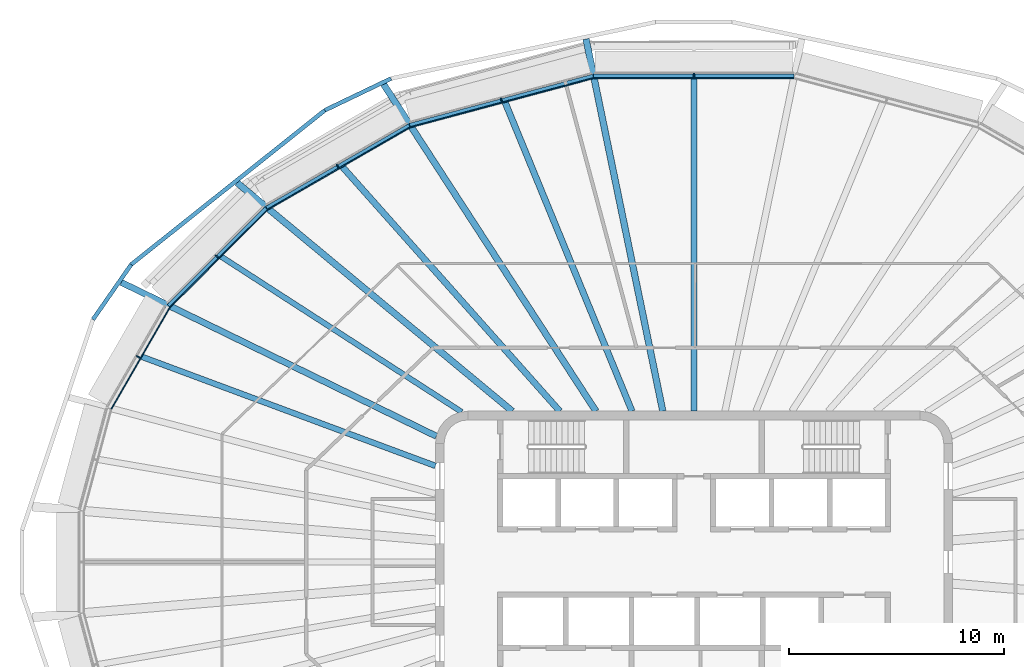
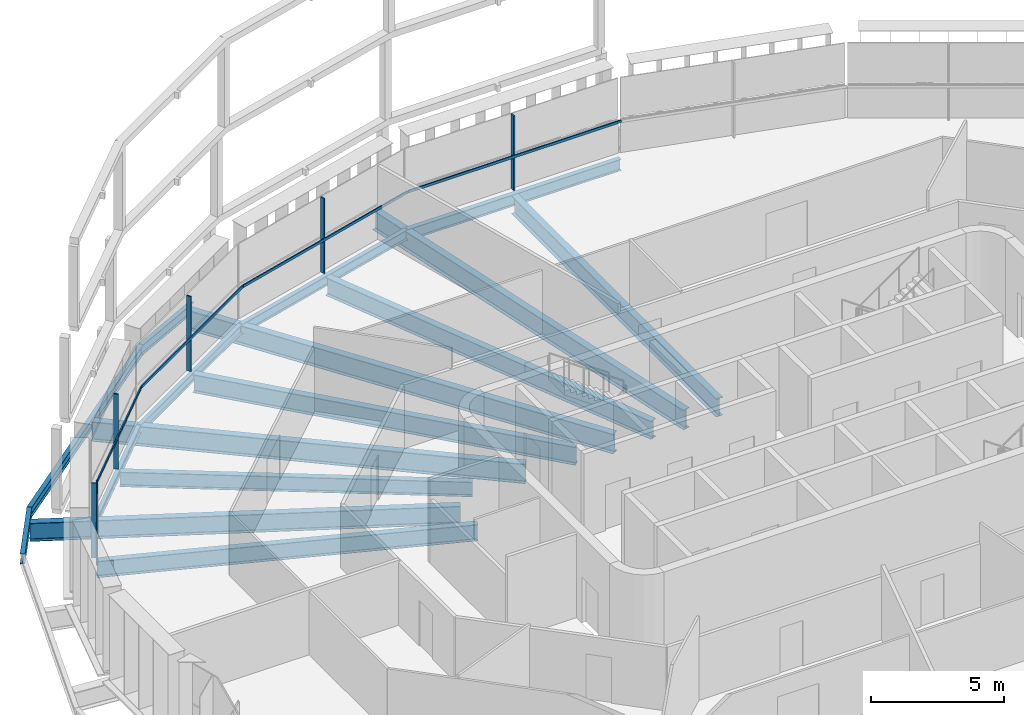
# One storey, part 5 of 19: 16 beams, 10 members, 5 elements without a shape of their own.
"""IFC4 building model written with IfcOpenShell, lengths in metres."""

from ifc_helpers import new_model, si_unit, direction, frame, origin, origin_2d, place, context, subcontext, project, spatial, rectangle, i_section, extrude, material, layer, layer_set, material_profile, profile_set, type_object, element, aggregate, save


model = new_model("IFC4")

# Units and contexts
model_context = context("Model", 3, precision=1e-05, world=origin(), true_north=direction((0.0, 1.0)))
body_context = subcontext(model_context, "Body", "Model", "MODEL_VIEW")
ifc_project = project(units=[si_unit("LENGTHUNIT", "METRE"), si_unit("AREAUNIT", "SQUARE_METRE"), si_unit("VOLUMEUNIT", "CUBIC_METRE"), si_unit("PLANEANGLEUNIT", "RADIAN"), si_unit("MASSUNIT", "GRAM", prefix="KILO")], contexts=[model_context])

# Site, building, storey
site_placement = place(None, origin())
site = spatial("IfcSite", under=ifc_project, at=site_placement, CompositionType="ELEMENT")
building_placement = place(site_placement, origin())
building = spatial("IfcBuilding", under=site, at=building_placement, Name="Sahrelin Media Tower", CompositionType="ELEMENT")
storey_placement = place(building_placement, frame((0.0, 0.0, 287.0)))
storey = spatial("IfcBuildingStorey", under=building, at=storey_placement, Name="L63", CompositionType="ELEMENT", Elevation=287.0)

# Beams
ifc_material_1 = material(Name="Steel S355", Category="steel")
ifc_material_profile_1 = material_profile(ifc_material_1, i_section(OverallWidth=0.17138671875, OverallDepth=0.35498046875, WebThickness=0.00732421875, FlangeThickness=0.011474609375, FilletRadius=0.01025390625, at=origin_2d()), Name="UB 356x171x51")
ifc_profile_set_1 = profile_set([ifc_material_profile_1], Name="Steel S355")
beam_type_1 = type_object("IfcBeamType", Name="Edge beam EB3", PredefinedType="BEAM", material=ifc_profile_set_1)
beam_1_placement = place(storey_placement, frame((-24.388916015625, 11.8916015625, -0.327392578125), z_axis=(0.707106781187, 0.707106781187, 0.0), x_axis=(-0.707106781187, 0.707106781187, 0.0)))
element("IfcBeam", 1, at=beam_1_placement, inside=storey, type_object=beam_type_1, Name="Edge beam L63-13", PredefinedType="BEAM", context=body_context, shape_type="SweptSolid", body=[
    extrude(i_section(OverallWidth=0.17138671875, OverallDepth=0.35498046875, WebThickness=0.00732421875, FlangeThickness=0.011474609375, FilletRadius=0.01025390625, at=origin_2d()), origin(), (0.0, 0.0, 1.0), 6.4072265625),
])
ifc_material_profile_2 = material_profile(ifc_material_1, i_section(OverallWidth=0.177978515625, OverallDepth=0.406494140625, WebThickness=0.0078125, FlangeThickness=0.0126953125, FilletRadius=0.01025390625, at=origin_2d()), Name="UB 406x178x60")
ifc_profile_set_2 = profile_set([ifc_material_profile_2], Name="Steel S355")
beam_type_2 = type_object("IfcBeamType", Name="Edge beam EB4", PredefinedType="BEAM", material=ifc_profile_set_2)
beam_2_placement = place(storey_placement, frame((-19.83544921875, 16.439697265625, -0.353271484375), z_axis=(0.866029782078, 0.499992416496, 0.0), x_axis=(-0.499992416496, 0.866029782078, 0.0)))
element("IfcBeam", 2, at=beam_2_placement, inside=storey, type_object=beam_type_2, Name="Edge beam L63-14", PredefinedType="BEAM", context=body_context, shape_type="SweptSolid", body=[
    extrude(i_section(OverallWidth=0.177978515625, OverallDepth=0.406494140625, WebThickness=0.0078125, FlangeThickness=0.0126953125, FilletRadius=0.01025390625, at=origin_2d()), origin(), (0.0, 0.0, 1.0), 7.6455078125),
])
ifc_material_profile_3 = material_profile(ifc_material_1, i_section(OverallWidth=0.1904296875, OverallDepth=0.45703125, WebThickness=0.009033203125, FlangeThickness=0.014404296875, FilletRadius=0.01025390625, at=origin_2d()), Name="UB 457x191x74")
ifc_profile_set_3 = profile_set([ifc_material_profile_3], Name="Steel S355")
beam_type_3 = type_object("IfcBeamType", Name="Edge beam EB5", PredefinedType="BEAM", material=ifc_profile_set_3)
beam_3_placement = place(storey_placement, frame((-13.1875, 20.2734375, -0.37841796875), z_axis=(0.965927388996, 0.258813212932, 0.0), x_axis=(-0.258813212932, 0.965927388996, 0.0)))
element("IfcBeam", 3, at=beam_3_placement, inside=storey, type_object=beam_type_3, Name="Edge beam L63-15", PredefinedType="BEAM", context=body_context, shape_type="SweptSolid", body=[
    extrude(i_section(OverallWidth=0.1904296875, OverallDepth=0.45703125, WebThickness=0.009033203125, FlangeThickness=0.014404296875, FilletRadius=0.01025390625, at=origin_2d()), origin(), (0.0, 0.0, 1.0), 8.8076171875),
])
ifc_material_profile_4 = material_profile(ifc_material_1, i_section(OverallWidth=0.208740234375, OverallDepth=0.5283203125, WebThickness=0.009521484375, FlangeThickness=0.01318359375, FilletRadius=0.0126953125, at=origin_2d()), Name="UB 533x210x82")
ifc_profile_set_4 = profile_set([ifc_material_profile_4], Name="Steel S355")
beam_type_4 = type_object("IfcBeamType", Name="Edge beam EB6", PredefinedType="BEAM", material=ifc_profile_set_4)
beam_4_placement = place(storey_placement, frame((-4.6513671875, 22.556884765625, -0.4140625), z_axis=(1.0, 0.0, 0.0), x_axis=(0.0, 1.0, 0.0)))
element("IfcBeam", 4, at=beam_4_placement, inside=storey, type_object=beam_type_4, Name="Edge beam L63-16", PredefinedType="BEAM", context=body_context, shape_type="SweptSolid", body=[
    extrude(i_section(OverallWidth=0.208740234375, OverallDepth=0.5283203125, WebThickness=0.009521484375, FlangeThickness=0.01318359375, FilletRadius=0.0126953125, at=origin_2d()), origin(), (0.0, 0.0, 1.0), 9.302734375),
])

# Curtain wall, member
ifc_material_2 = material(Name="Champagne anodised aluminium 6063-T6", Category="aluminium")
ifc_layer = layer(ifc_material_2, 0.14990234375)
ifc_layer_set = layer_set([ifc_layer], Name="Tower ribbon curtain wall")
curtain_wall_type = type_object("IfcCurtainWallType", Name="Tower ribbon curtain wall", PredefinedType="NOTDEFINED", material=ifc_layer_set)
curtain_wall_1_placement = place(storey_placement, frame((0.0, 22.706787109375, 0.0), z_axis=(0.0, 0.0, 1.0), x_axis=(1.0, 0.0, 0.0)))
curtain_wall_1 = element("IfcCurtainWall", 5, at=curtain_wall_1_placement, inside=storey, type_object=curtain_wall_type, Name="L63:CW:L63-06", PredefinedType="NOTDEFINED")
ifc_material_profile_5 = material_profile(ifc_material_2, rectangle(XDim=0.06005859375, YDim=0.199951171875, at=origin_2d()), Name="Mullion 60x200")
ifc_profile_set_5 = profile_set([ifc_material_profile_5], Name="Champagne anodised aluminium 6063-T6")
member_type_1 = type_object("IfcMemberType", Name="Mullion 60x200 CW1C", PredefinedType="MULLION", material=ifc_profile_set_5)
member_1_placement = place(storey_placement, frame((0.0, 22.5869140625, 0.0), z_axis=(0.0, 0.0, 1.0), x_axis=(-1.0, 0.0, 0.0)))
member_1 = element("IfcMember", 6, at=member_1_placement, type_object=member_type_1, Name="L63:CWM:L63-06", PredefinedType="MULLION", context=body_context, shape_type="SweptSolid", body=[
    extrude(rectangle(XDim=0.06005859375, YDim=0.199951171875, at=origin_2d()), origin(), (0.0, 0.0, 1.0), 3.448486328125),
])

curtain_wall_2_placement = place(storey_placement, frame((-8.972412109375, 21.55810546875, 0.0), z_axis=(0.0, 0.0, 1.0), x_axis=(1.0, 0.0, 0.0)))
curtain_wall_2 = element("IfcCurtainWall", 7, at=curtain_wall_2_placement, inside=storey, type_object=curtain_wall_type, Name="L63:CW:L63-07", PredefinedType="NOTDEFINED")
member_2_placement = place(storey_placement, frame((-8.94140625, 21.442138671875, 0.0), z_axis=(0.0, 0.0, 1.0), x_axis=(-0.965927181449, -0.258813987523, 0.0)))
member_2 = element("IfcMember", 8, at=member_2_placement, type_object=member_type_1, Name="L63:CWM:L63-07", PredefinedType="MULLION", context=body_context, shape_type="SweptSolid", body=[
    extrude(rectangle(XDim=0.06005859375, YDim=0.199951171875, at=origin_2d()), origin(), (0.0, 0.0, 1.0), 3.448486328125),
])

curtain_wall_3_placement = place(storey_placement, frame((-16.599853515625, 18.48095703125, 0.0), z_axis=(0.0, 0.0, 1.0), x_axis=(1.0, 0.0, 0.0)))
curtain_wall_3 = element("IfcCurtainWall", 9, at=curtain_wall_3_placement, inside=storey, type_object=curtain_wall_type, Name="L63:CW:L63-08", PredefinedType="NOTDEFINED")
member_3_placement = place(storey_placement, frame((-16.539794921875, 18.376953125, 0.0), z_axis=(0.0, 0.0, 1.0), x_axis=(-0.866025403784, -0.5, 0.0)))
member_3 = element("IfcMember", 10, at=member_3_placement, type_object=member_type_1, Name="L63:CWM:L63-08", PredefinedType="MULLION", context=body_context, shape_type="SweptSolid", body=[
    extrude(rectangle(XDim=0.06005859375, YDim=0.199951171875, at=origin_2d()), origin(), (0.0, 0.0, 1.0), 3.448486328125),
])

curtain_wall_4_placement = place(storey_placement, frame((-22.2294921875, 14.262939453125, 0.0), z_axis=(0.0, 0.0, 1.0), x_axis=(1.0, 0.0, 0.0)))
curtain_wall_4 = element("IfcCurtainWall", 11, at=curtain_wall_4_placement, inside=storey, type_object=curtain_wall_type, Name="L63:CW:L63-09", PredefinedType="NOTDEFINED")
member_4_placement = place(storey_placement, frame((-22.144775390625, 14.177978515625, 0.0), z_axis=(0.0, 0.0, 1.0), x_axis=(-0.707099376343, -0.707114185953, 0.0)))
member_4 = element("IfcMember", 12, at=member_4_placement, type_object=member_type_1, Name="L63:CWM:L63-09", PredefinedType="MULLION", context=body_context, shape_type="SweptSolid", body=[
    extrude(rectangle(XDim=0.06005859375, YDim=0.199951171875, at=origin_2d()), origin(), (0.0, 0.0, 1.0), 3.448486328125),
])

curtain_wall_5_placement = place(storey_placement, frame((-25.90087890625, 9.580322265625, 0.0), z_axis=(0.0, 0.0, 1.0), x_axis=(1.0, 0.0, 0.0)))
curtain_wall_5 = element("IfcCurtainWall", 13, at=curtain_wall_5_placement, inside=storey, type_object=curtain_wall_type, Name="L63:CW:L63-10", PredefinedType="NOTDEFINED")
member_5_placement = place(storey_placement, frame((-25.796875, 9.520263671875, 0.0), z_axis=(0.0, 0.0, 1.0), x_axis=(-0.500006045986, -0.866021913105, 0.0)))
member_5 = element("IfcMember", 14, at=member_5_placement, type_object=member_type_1, Name="L63:CWM:L63-10", PredefinedType="MULLION", context=body_context, shape_type="SweptSolid", body=[
    extrude(rectangle(XDim=0.06005859375, YDim=0.199951171875, at=origin_2d()), origin(), (0.0, 0.0, 1.0), 3.448486328125),
])

# Beams
ifc_material_profile_6 = material_profile(ifc_material_1, i_section(OverallWidth=0.291748046875, OverallDepth=0.8349609375, WebThickness=0.013916015625, FlangeThickness=0.018798828125, FilletRadius=0.017822265625, at=origin_2d()), Name="UB 838x292x176")
ifc_profile_set_6 = profile_set([ifc_material_profile_6], Name="Steel S355")
beam_type_5 = type_object("IfcBeamType", Name="Radial primary beam PB10", PredefinedType="BEAM", material=ifc_profile_set_6)
beam_5_placement = place(storey_placement, frame((-11.95556640625, 5.838134765625, -0.5673828125), z_axis=(-0.898580717158, 0.438808266504, 0.0), x_axis=(-0.438808266504, -0.898580717158, 0.0)))
element("IfcBeam", 15, at=beam_5_placement, inside=storey, type_object=beam_type_5, Name="Radial beam L63-10", PredefinedType="BEAM", context=body_context, shape_type="SweptSolid", body=[
    extrude(i_section(OverallWidth=0.291748046875, OverallDepth=0.8349609375, WebThickness=0.013916015625, FlangeThickness=0.018798828125, FilletRadius=0.017822265625, at=origin_2d()), origin(), (0.0, 0.0, 1.0), 16.280517578125),
])
ifc_material_profile_7 = material_profile(ifc_material_1, i_section(OverallWidth=0.30322265625, OverallDepth=0.903076171875, WebThickness=0.01513671875, FlangeThickness=0.020263671875, FilletRadius=0.01904296875, at=origin_2d()), Name="UB 914x305x201")
ifc_profile_set_7 = profile_set([ifc_material_profile_7], Name="Steel S355")
beam_type_6 = type_object("IfcBeamType", Name="Radial primary beam PB11", PredefinedType="BEAM", material=ifc_profile_set_7)
beam_6_placement = place(storey_placement, frame((-1.444580078125, 7.0, -0.6015625), z_axis=(-0.202083944473, 0.979368204194, 0.0), x_axis=(-0.979368204194, -0.202083944473, 0.0)))
element("IfcBeam", 16, at=beam_6_placement, inside=storey, type_object=beam_type_6, Name="Radial beam L63-07", PredefinedType="BEAM", context=body_context, shape_type="SweptSolid", body=[
    extrude(i_section(OverallWidth=0.30322265625, OverallDepth=0.903076171875, WebThickness=0.01513671875, FlangeThickness=0.020263671875, FilletRadius=0.01904296875, at=origin_2d()), origin(), (0.0, 0.0, 1.0), 17.643310546875),
])
beam_7_placement = place(storey_placement, frame((-4.547607421875, 7.0, -0.6015625), z_axis=(-0.544800537229, 0.83856566507, 0.0), x_axis=(-0.83856566507, -0.544800537229, 0.0)))
element("IfcBeam", 17, at=beam_7_placement, inside=storey, type_object=beam_type_6, Name="Radial beam L63-08", PredefinedType="BEAM", context=body_context, shape_type="SweptSolid", body=[
    extrude(i_section(OverallWidth=0.30322265625, OverallDepth=0.903076171875, WebThickness=0.01513671875, FlangeThickness=0.020263671875, FilletRadius=0.01904296875, at=origin_2d()), origin(), (0.0, 0.0, 1.0), 18.094970703125),
])
beam_8_placement = place(storey_placement, frame((-8.4326171875, 7.0, -0.6015625), z_axis=(-0.769442063394, 0.638716612498, 0.0), x_axis=(-0.638716612498, -0.769442063394, 0.0)))
element("IfcBeam", 18, at=beam_8_placement, inside=storey, type_object=beam_type_6, Name="Radial beam L63-09", PredefinedType="BEAM", context=body_context, shape_type="SweptSolid", body=[
    extrude(i_section(OverallWidth=0.30322265625, OverallDepth=0.903076171875, WebThickness=0.01513671875, FlangeThickness=0.020263671875, FilletRadius=0.01904296875, at=origin_2d()), origin(), (0.0, 0.0, 1.0), 16.602783203125),
])
ifc_material_profile_8 = material_profile(ifc_material_1, i_section(OverallWidth=0.291748046875, OverallDepth=0.8349609375, WebThickness=0.013916015625, FlangeThickness=0.018798828125, FilletRadius=0.017822265625, at=origin_2d()), Name="UB 838x292x176")
ifc_profile_set_8 = profile_set([ifc_material_profile_8], Name="Steel S355")
beam_type_7 = type_object("IfcBeamType", Name="Radial secondary beam SB10", PredefinedType="BEAM", material=ifc_profile_set_8)
beam_9_placement = place(storey_placement, frame((0.0, 7.0, -0.5673828125), z_axis=(0.0, 1.0, 0.0), x_axis=(-1.0, 0.0, 0.0)))
element("IfcBeam", 19, at=beam_9_placement, inside=storey, type_object=beam_type_7, Name="Secondary beam L63-05", PredefinedType="BEAM", context=body_context, shape_type="SweptSolid", body=[
    extrude(i_section(OverallWidth=0.291748046875, OverallDepth=0.8349609375, WebThickness=0.013916015625, FlangeThickness=0.018798828125, FilletRadius=0.017822265625, at=origin_2d()), origin(), (0.0, 0.0, 1.0), 15.452392578125),
])
beam_10_placement = place(storey_placement, frame((-2.8759765625, 7.0, -0.5673828125), z_axis=(-0.380009216923, 0.924982699867, 0.0), x_axis=(-0.924982699867, -0.380009216923, 0.0)))
element("IfcBeam", 20, at=beam_10_placement, inside=storey, type_object=beam_type_7, Name="Secondary beam L63-06", PredefinedType="BEAM", context=body_context, shape_type="SweptSolid", body=[
    extrude(i_section(OverallWidth=0.291748046875, OverallDepth=0.8349609375, WebThickness=0.013916015625, FlangeThickness=0.018798828125, FilletRadius=0.017822265625, at=origin_2d()), origin(), (0.0, 0.0, 1.0), 15.521728515625),
])
beam_11_placement = place(storey_placement, frame((-6.227294921875, 7.0, -0.5673828125), z_axis=(-0.664674753745, 0.747132834062, 0.0), x_axis=(-0.747132834062, -0.664674753745, 0.0)))
element("IfcBeam", 21, at=beam_11_placement, inside=storey, type_object=beam_type_7, Name="Secondary beam L63-07", PredefinedType="BEAM", context=body_context, shape_type="SweptSolid", body=[
    extrude(i_section(OverallWidth=0.291748046875, OverallDepth=0.8349609375, WebThickness=0.013916015625, FlangeThickness=0.018798828125, FilletRadius=0.017822265625, at=origin_2d()), origin(), (0.0, 0.0, 1.0), 15.20361328125),
])
ifc_material_profile_9 = material_profile(ifc_material_1, i_section(OverallWidth=0.2529296875, OverallDepth=0.677978515625, WebThickness=0.01171875, FlangeThickness=0.01611328125, FilletRadius=0.01513671875, at=origin_2d()), Name="UB 686x254x125")
ifc_profile_set_9 = profile_set([ifc_material_profile_9], Name="Steel S355")
beam_type_8 = type_object("IfcBeamType", Name="Radial secondary beam SB8", PredefinedType="BEAM", material=ifc_profile_set_9)
beam_12_placement = place(storey_placement, frame((-10.779296875, 6.963134765625, -0.489013671875), z_axis=(-0.839980030841, 0.542617312467, 0.0), x_axis=(-0.542617312467, -0.839980030841, 0.0)))
element("IfcBeam", 22, at=beam_12_placement, inside=storey, type_object=beam_type_8, Name="Secondary beam L63-08", PredefinedType="BEAM", context=body_context, shape_type="SweptSolid", body=[
    extrude(i_section(OverallWidth=0.2529296875, OverallDepth=0.677978515625, WebThickness=0.01171875, FlangeThickness=0.01611328125, FilletRadius=0.01513671875, at=origin_2d()), origin(), (0.0, 0.0, 1.0), 13.3203125),
])
ifc_material_profile_10 = material_profile(ifc_material_1, i_section(OverallWidth=0.26513671875, OverallDepth=0.75390625, WebThickness=0.0126953125, FlangeThickness=0.017578125, FilletRadius=0.0166015625, at=origin_2d()), Name="UB 762x267x147")
ifc_profile_set_10 = profile_set([ifc_material_profile_10], Name="Steel S355")
beam_type_9 = type_object("IfcBeamType", Name="Radial secondary beam SB9", PredefinedType="BEAM", material=ifc_profile_set_10)
beam_13_placement = place(storey_placement, frame((-12.0, 4.461181640625, -0.527099609375), z_axis=(-0.937324595945, 0.348457460584, 0.0), x_axis=(-0.348457460584, -0.937324595945, 0.0)))
element("IfcBeam", 23, at=beam_13_placement, inside=storey, type_object=beam_type_9, Name="Secondary beam L63-09", PredefinedType="BEAM", context=body_context, shape_type="SweptSolid", body=[
    extrude(i_section(OverallWidth=0.26513671875, OverallDepth=0.75390625, WebThickness=0.0126953125, FlangeThickness=0.017578125, FilletRadius=0.0166015625, at=origin_2d()), origin(), (0.0, 0.0, 1.0), 14.569580078125),
])
ifc_material_profile_11 = material_profile(ifc_material_1, i_section(OverallWidth=0.1904296875, OverallDepth=0.45703125, WebThickness=0.009033203125, FlangeThickness=0.014404296875, FilletRadius=0.01025390625, at=origin_2d()), Name="UB 457x191x74")
ifc_profile_set_11 = profile_set([ifc_material_profile_11], Name="Steel S355")
beam_type_10 = type_object("IfcBeamType", Name="Tie chord TC5", PredefinedType="BEAM", material=ifc_profile_set_11)
beam_14_placement = place(storey_placement, frame((-14.059326171875, 22.44580078125, -0.37841796875), z_axis=(-0.90161470192, -0.432540089798, 0.0), x_axis=(0.432540089798, -0.90161470192, 0.0)))
element("IfcBeam", 24, at=beam_14_placement, inside=storey, type_object=beam_type_10, Name="Tie chord L63-08", PredefinedType="BEAM", context=body_context, shape_type="SweptSolid", body=[
    extrude(i_section(OverallWidth=0.1904296875, OverallDepth=0.45703125, WebThickness=0.009033203125, FlangeThickness=0.014404296875, FilletRadius=0.01025390625, at=origin_2d()), origin(), (0.0, 0.0, 1.0), 3.407958984375),
])
beam_15_placement = place(storey_placement, frame((-17.132080078125, 20.9716796875, -0.37841796875), z_axis=(-0.782271520819, -0.622937611415, 0.0), x_axis=(0.622937611415, -0.782271520819, 0.0)))
element("IfcBeam", 25, at=beam_15_placement, inside=storey, type_object=beam_type_10, Name="Tie chord L63-09", PredefinedType="BEAM", context=body_context, shape_type="SweptSolid", body=[
    extrude(i_section(OverallWidth=0.1904296875, OverallDepth=0.45703125, WebThickness=0.009033203125, FlangeThickness=0.014404296875, FilletRadius=0.01025390625, at=origin_2d()), origin(), (0.0, 0.0, 1.0), 11.49658203125),
])
beam_16_placement = place(storey_placement, frame((-26.12548828125, 13.81005859375, -0.37841796875), z_axis=(-0.570618018354, -0.821215609404, 0.0), x_axis=(0.821215609404, -0.570618018354, 0.0)))
element("IfcBeam", 26, at=beam_16_placement, inside=storey, type_object=beam_type_10, Name="Tie chord L63-10", PredefinedType="BEAM", context=body_context, shape_type="SweptSolid", body=[
    extrude(i_section(OverallWidth=0.1904296875, OverallDepth=0.45703125, WebThickness=0.009033203125, FlangeThickness=0.014404296875, FilletRadius=0.01025390625, at=origin_2d()), origin(), (0.0, 0.0, 1.0), 3.10888671875),
])

# Member
ifc_material_profile_12 = material_profile(ifc_material_2, rectangle(XDim=0.050048828125, YDim=0.1201171875, at=origin_2d()), Name="Transom 50x120")
ifc_profile_set_12 = profile_set([ifc_material_profile_12], Name="Champagne anodised aluminium 6063-T6")
member_type_2 = type_object("IfcMemberType", Name="Transom 50x120 CW1C", PredefinedType="USERDEFINED", material=ifc_profile_set_12)
member_6_placement = place(storey_placement, frame((4.635498046875, 22.4619140625, 1.60009765625), z_axis=(-1.0, 0.0, 0.0), x_axis=(0.0, -1.0, 0.0)))
member_6 = element("IfcMember", 27, at=member_6_placement, type_object=member_type_2, Name="L63:CWT:L63-06", ObjectType="TRANSOM", PredefinedType="USERDEFINED", context=body_context, shape_type="SweptSolid", body=[
    extrude(rectangle(XDim=0.050048828125, YDim=0.1201171875, at=origin_2d()), origin(), (0.0, 0.0, 1.0), 9.27099609375),
])

aggregate(curtain_wall_1, [member_1, member_6])

member_7_placement = place(storey_placement, frame((-4.67041015625, 22.457275390625, 1.60009765625), z_axis=(-0.965925824959, -0.258819050065, 0.0), x_axis=(0.258819050065, -0.965925824959, 0.0)))
member_7 = element("IfcMember", 28, at=member_7_placement, type_object=member_type_2, Name="L63:CWT:L63-07", ObjectType="TRANSOM", PredefinedType="USERDEFINED", context=body_context, shape_type="SweptSolid", body=[
    extrude(rectangle(XDim=0.050048828125, YDim=0.1201171875, at=origin_2d()), origin(), (0.0, 0.0, 1.0), 8.7763671875),
])

aggregate(curtain_wall_2, [member_2, member_7])

member_8_placement = place(storey_placement, frame((-13.18017578125, 20.17236328125, 1.60009765625), z_axis=(-0.866028607742, -0.499994450542, 0.0), x_axis=(0.499994450542, -0.866028607742, 0.0)))
member_8 = element("IfcMember", 29, at=member_8_placement, type_object=member_type_2, Name="L63:CWT:L63-08", ObjectType="TRANSOM", PredefinedType="USERDEFINED", context=body_context, shape_type="SweptSolid", body=[
    extrude(rectangle(XDim=0.050048828125, YDim=0.1201171875, at=origin_2d()), origin(), (0.0, 0.0, 1.0), 7.6142578125),
])

aggregate(curtain_wall_3, [member_3, member_8])

member_9_placement = place(storey_placement, frame((-19.80224609375, 16.34375, 1.60009765625), z_axis=(-0.707106781187, -0.707106781187, 0.0), x_axis=(0.707106781187, -0.707106781187, 0.0)))
member_9 = element("IfcMember", 30, at=member_9_placement, type_object=member_type_2, Name="L63:CWT:L63-09", ObjectType="TRANSOM", PredefinedType="USERDEFINED", context=body_context, shape_type="SweptSolid", body=[
    extrude(rectangle(XDim=0.050048828125, YDim=0.1201171875, at=origin_2d()), origin(), (0.0, 0.0, 1.0), 6.375732421875),
])

aggregate(curtain_wall_4, [member_4, member_9])

member_10_placement = place(storey_placement, frame((-24.331787109375, 11.8076171875, 1.60009765625), z_axis=(-0.500000246922, -0.866025261224, 0.0), x_axis=(0.866025261224, -0.500000246922, 0.0)))
member_10 = element("IfcMember", 31, at=member_10_placement, type_object=member_type_2, Name="L63:CWT:L63-10", ObjectType="TRANSOM", PredefinedType="USERDEFINED", context=body_context, shape_type="SweptSolid", body=[
    extrude(rectangle(XDim=0.050048828125, YDim=0.1201171875, at=origin_2d()), origin(), (0.0, 0.0, 1.0), 5.4267578125),
])

aggregate(curtain_wall_5, [member_5, member_10])

save(model, "model.ifc")
